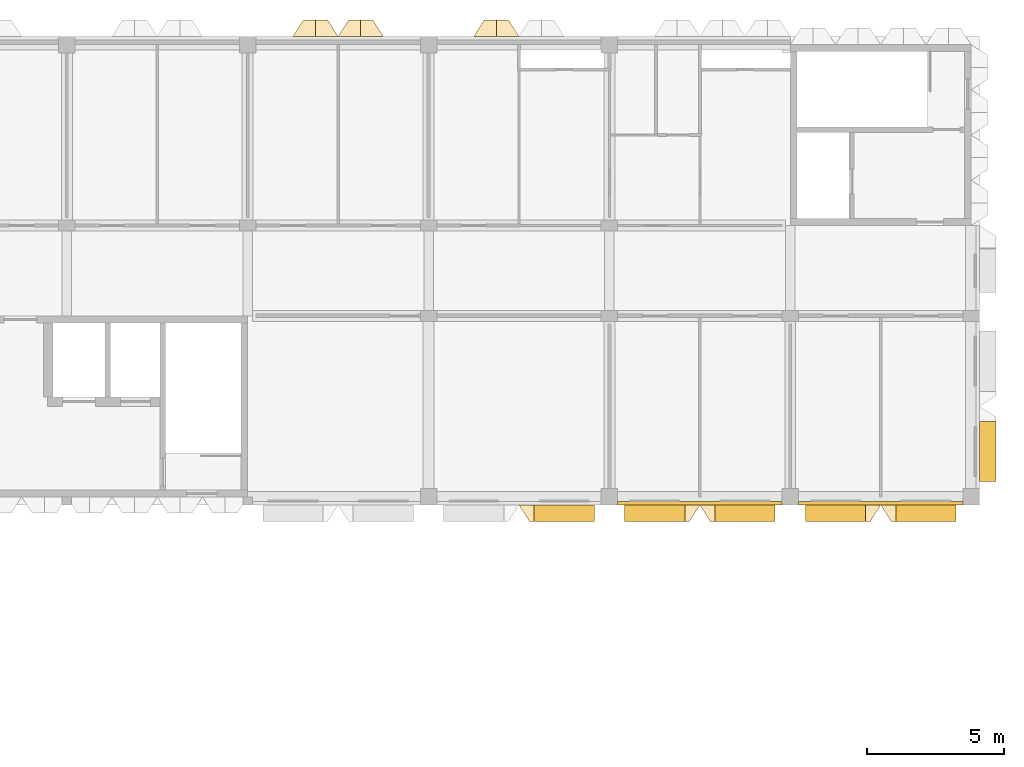
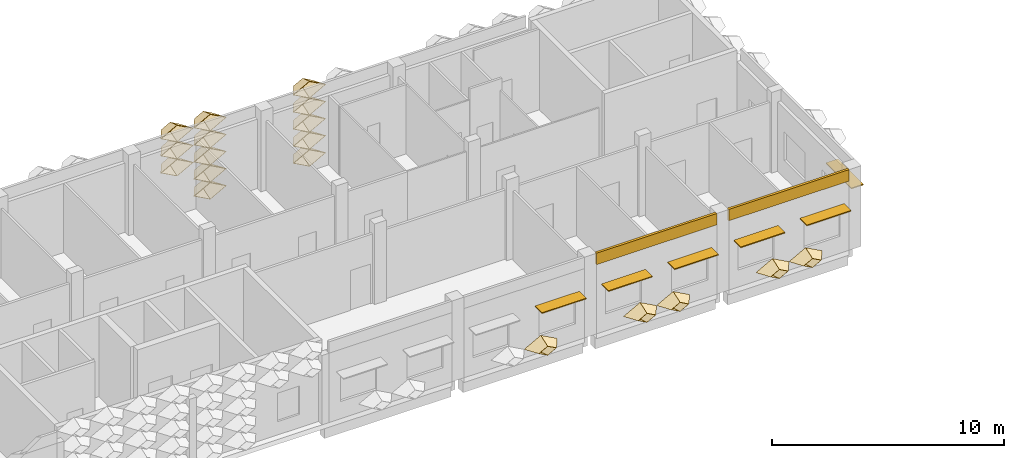
# One storey, part 80 of 85: 20 coverings, 6 shading devices.
"""IFC4 building model written with IfcOpenShell, lengths in metres."""

import ifcopenshell
import ifcopenshell.guid

model = None  # the IFC model being written
_history = None  # IfcOwnerHistory: only IFC2X3 demands one
_inside = {}  # id of a spatial element -> (the spatial element, [elements in it])
_under = {}  # id of a project, library or spatial element -> (it, [spatial elements below it])
_declared = {}  # id of a project -> (the project, [libraries it declares])
_typed = {}  # id of a type object -> (the type object, [elements of that type])
_made_of = {}  # id of a material, layer set ... -> (it, [elements and type objects made of it])


def new_model(schema):
    """Start an empty IFC model of exactly this schema.

    Asked for "IFC4X3", IfcOpenShell would pick the latest addendum, in which some entities
    have other attributes; the version numbers below select the first issue.
    IFC2X3 requires an IfcOwnerHistory on every rooted entity: one is made here for all.
    """
    global model, _history
    if schema == "IFC4X3":
        model = ifcopenshell.file(schema_version=(4, 3, 0, 0))
    else:
        model = ifcopenshell.file(schema=schema)
    _inside.clear()
    _under.clear()
    _declared.clear()
    _typed.clear()
    _made_of.clear()
    _history = None
    if model.schema == "IFC2X3":
        org = make("IfcOrganization", Name="unknown")
        user = make(
            "IfcPersonAndOrganization",
            ThePerson=make("IfcPerson", FamilyName="unknown"),
            TheOrganization=org,
        )
        app = make(
            "IfcApplication",
            ApplicationDeveloper=org,
            Version="unknown",
            ApplicationFullName="unknown",
            ApplicationIdentifier="unknown",
        )
        _history = make(
            "IfcOwnerHistory",
            OwningUser=user,
            OwningApplication=app,
            ChangeAction="ADDED",
            CreationDate=0,
        )
    return model


def make(cls, **values):
    """One entity of the class cls with the attributes given. An attribute that is None is left unset."""
    return model.create_entity(
        cls, **{name: value for name, value in values.items() if value is not None}
    )


def entity(cls, *values):
    """Any entity or typed value of the class cls, its attributes in the order of the schema. None: left unset."""
    e = model.create_entity(cls)
    for i, value in enumerate(values):
        if value is not None:
            e[i] = value
    return e


def rooted(cls, **values):
    """An entity with a GlobalId (a new one), such as an element, a storey or a relation."""
    return make(cls, GlobalId=ifcopenshell.guid.new(), OwnerHistory=_history, **values)


def si_unit(unit_type, name, prefix=None):
    """IfcSIUnit, for example si_unit("LENGTHUNIT", "METRE", prefix="MILLI")."""
    return make("IfcSIUnit", UnitType=unit_type, Prefix=prefix, Name=name)


def assignment(units):
    """IfcUnitAssignment: the units of a project."""
    return None if units is None else make("IfcUnitAssignment", Units=units)


def point(xyz):
    """IfcCartesianPoint."""
    return None if xyz is None else make("IfcCartesianPoint", Coordinates=xyz)


def direction(xyz):
    """IfcDirection."""
    return None if xyz is None else make("IfcDirection", DirectionRatios=xyz)


def frame(location, z_axis=None, x_axis=None):
    """IfcAxis2Placement3D, a coordinate frame: its origin and axes. An axis left out is left unset."""
    return make(
        "IfcAxis2Placement3D",
        Location=point(location),
        Axis=direction(z_axis),
        RefDirection=direction(x_axis),
    )


def frame_2d(location, x_axis=None):
    """IfcAxis2Placement2D, a coordinate frame in the plane: its origin and x axis."""
    return make(
        "IfcAxis2Placement2D", Location=point(location), RefDirection=direction(x_axis)
    )


def origin():
    """The frame at (0, 0, 0) with its axes left unset."""
    return frame((0.0, 0.0, 0.0))


def origin_2d():
    """The frame at (0, 0) in the plane with its x axis left unset."""
    return frame_2d((0.0, 0.0))


def place(relative_to, where):
    """IfcLocalPlacement: puts the frame where relative to a parent placement (None: the world)."""
    return make(
        "IfcLocalPlacement", PlacementRelTo=relative_to, RelativePlacement=where
    )


def context(
    kind, dimensions, precision=None, world=None, true_north=None, identifier=None
):
    """IfcGeometricRepresentationContext, for example the 3D "Model" context."""
    return make(
        "IfcGeometricRepresentationContext",
        ContextIdentifier=identifier,
        ContextType=kind,
        CoordinateSpaceDimension=dimensions,
        Precision=precision,
        WorldCoordinateSystem=world,
        TrueNorth=true_north,
    )


def subcontext(parent, identifier, kind, view, scale=None):
    """IfcGeometricRepresentationSubContext, for example "Body" below "Model"."""
    return make(
        "IfcGeometricRepresentationSubContext",
        ContextIdentifier=identifier,
        ContextType=kind,
        ParentContext=parent,
        TargetScale=scale,
        TargetView=view,
    )


def project(units=None, contexts=None):
    """IfcProject with its units and contexts."""
    return rooted(
        "IfcProject",
        Name="project",
        RepresentationContexts=contexts,
        UnitsInContext=assignment(units),
    )


def spatial(cls, under=None, at=None, **own):
    """A site, building, storey or space (cls), placed at a placement, below another one or the project."""
    s = rooted(cls, ObjectPlacement=at, **own)
    if under is not None:
        _under.setdefault(under.id(), (under, []))[1].append(s)
    return s


def profile(cls, at=None, kind="AREA", **sizes):
    """A parametric profile (cls). Its sizes go by their IFC names, for example OverallWidth=200.0."""
    return make(cls, ProfileType=kind, Position=at, **sizes)


def rectangle(**sizes):
    """IfcRectangleProfileDef."""
    return profile("IfcRectangleProfileDef", **sizes)


def extrude(swept, where, along, depth):
    """IfcExtrudedAreaSolid: the profile swept, set in the frame where, extruded along a direction by depth."""
    return make(
        "IfcExtrudedAreaSolid",
        SweptArea=swept,
        Position=where,
        ExtrudedDirection=direction(along),
        Depth=depth,
    )


def shape(context_of_items, identifier, shape_type, items):
    """IfcShapeRepresentation: the items that make up one representation, for example the "Body"."""
    return make(
        "IfcShapeRepresentation",
        ContextOfItems=context_of_items,
        RepresentationIdentifier=identifier,
        RepresentationType=shape_type,
        Items=items,
    )


def material(Name=None, Category=None):
    """IfcMaterial."""
    return make("IfcMaterial", Name=Name, Category=Category)


def layer(
    of_material, thickness, ventilated=None, Name=None, Category=None, Priority=None
):
    """IfcMaterialLayer: one layer of a wall or slab, of a material (None: an air gap)."""
    return make(
        "IfcMaterialLayer",
        Material=of_material,
        LayerThickness=thickness,
        IsVentilated=ventilated,
        Name=Name,
        Category=Category,
        Priority=Priority,
    )


def layer_set(layers, Name=None):
    """IfcMaterialLayerSet."""
    return make("IfcMaterialLayerSet", MaterialLayers=layers, LayerSetName=Name)


def made_of(thing, what):
    """Note that an element or type object is made of a material, layer set ...; save() writes the relation."""
    if what is not None:
        _made_of.setdefault(what.id(), (what, []))[1].append(thing)
    return thing


def type_object(cls, material=None, **own):
    """A type object (cls), such as IfcWallType, which elements share."""
    return made_of(rooted(cls, **own), material)


def element(
    cls,
    number,
    at=None,
    inside=None,
    cuts=None,
    type_object=None,
    material=None,
    context=None,
    identifier="Body",
    shape_type=None,
    held_by="IfcProductDefinitionShape",
    body=None,
    shapes=None,
    **own,
):
    """One element of the class cls, such as IfcWall. Its Tag is "e" and its number.

    at: its placement. inside: the storey or other place that contains it. cuts: it is an
    opening in that element (IfcRelVoidsElement). A single representation is given by context,
    identifier, shape_type and body (its items); several are given by shapes. held_by: the class
    of the entity that holds the representations. save() writes the other relations.
    """
    e = rooted(cls, Tag="e%d" % number, ObjectPlacement=at, **own)
    if body is not None:
        shapes = [shape(context, identifier, shape_type, body)]
    if shapes is not None:
        e.Representation = make(held_by, Representations=shapes)
    if inside is not None:
        _inside.setdefault(inside.id(), (inside, []))[1].append(e)
    if cuts is not None:
        rooted(
            "IfcRelVoidsElement", RelatingBuildingElement=cuts, RelatedOpeningElement=e
        )
    if type_object is not None:
        _typed.setdefault(type_object.id(), (type_object, []))[1].append(e)
    return made_of(e, material)


def aggregate(whole, parts):
    """IfcRelAggregates: a whole, such as a stair, and the parts it consists of."""
    return rooted("IfcRelAggregates", RelatingObject=whole, RelatedObjects=parts)


def save(model, path):
    """Write the relations noted so far, then the file.

    IfcRelAggregates (storeys below a building ...), IfcRelContainedInSpatialStructure (elements
    in a storey), IfcRelDefinesByType, IfcRelAssociatesMaterial and IfcRelDeclares: one each for
    every whole, place, type object, material and project.
    """
    for whole, parts in _under.values():
        aggregate(whole, parts)
    for where, things in _inside.values():
        rooted(
            "IfcRelContainedInSpatialStructure",
            RelatedElements=things,
            RelatingStructure=where,
        )
    for kind, things in _typed.values():
        rooted("IfcRelDefinesByType", RelatedObjects=things, RelatingType=kind)
    for what, things in _made_of.values():
        rooted("IfcRelAssociatesMaterial", RelatedObjects=things, RelatingMaterial=what)
    for by, libraries in _declared.values():
        rooted("IfcRelDeclares", RelatingContext=by, RelatedDefinitions=libraries)
    model.write(path)


model = new_model("IFC4")

# Units and contexts
model_context = context("Model", 3, precision=1e-05, world=origin(), true_north=direction((0.0, 1.0)))
body_context = subcontext(model_context, "Body", "Model", "MODEL_VIEW")
ifc_project = project(units=[si_unit("LENGTHUNIT", "METRE"), si_unit("AREAUNIT", "SQUARE_METRE"), si_unit("VOLUMEUNIT", "CUBIC_METRE"), si_unit("PLANEANGLEUNIT", "RADIAN"), si_unit("MASSUNIT", "GRAM", prefix="KILO")], contexts=[model_context])

# Site, building, storey
site_placement = place(None, origin())
site = spatial("IfcSite", under=ifc_project, at=site_placement, CompositionType="ELEMENT")
building_placement = place(site_placement, origin())
building = spatial("IfcBuilding", under=site, at=building_placement, Name="Lantern Court Research Institute", CompositionType="ELEMENT")
storey_placement = place(building_placement, frame((0.0, 0.0, 18.89990234375)))
storey = spatial("IfcBuildingStorey", under=building, at=storey_placement, Name="L04", CompositionType="ELEMENT", Elevation=18.89990234375)

# Shading devices
ifc_material_1 = material(Name="Aluminium alloy 6063-T6", Category="aluminium")
ifc_layer_1 = layer(ifc_material_1, 0.050048828125)
ifc_layer_set_1 = layer_set([ifc_layer_1], Name="Aluminium alloy 6063-T6")
shading_device_type = type_object("IfcShadingDeviceType", Name="Brise-soleil blade 2200 x 600 x 50 aluminium", PredefinedType="USERDEFINED", material=ifc_layer_set_1)
for number, where, z_axis, x_axis, name in (
    (1, (79.800048828125, 84.14990234375, 2.5), (0.0, 0.0, 1.0), (0.0, -1.0, 0.0), "Brise-soleil blade L04 E"),
    (2, (64.35009765625, 81.89990234375, 2.5), (0.0, 0.0, 1.0), (-1.0, 0.0, 0.0), "Brise-soleil blade L04 S"),
    (3, (67.64990234375, 81.89990234375, 2.5), (0.0, 0.0, 1.0), (-1.0, 0.0, 0.0), "Brise-soleil blade L04 S"),
    (4, (70.949951171875, 81.89990234375, 2.5), (0.0, 0.0, 1.0), (-1.0, 0.0, 0.0), "Brise-soleil blade L04 S"),
    (5, (74.25, 81.89990234375, 2.5), (0.0, 0.0, 1.0), (-1.0, 0.0, 0.0), "Brise-soleil blade L04 S"),
    (6, (77.550048828125, 81.89990234375, 2.5), (0.0, 0.0, 1.0), (-1.0, 0.0, 0.0), "Brise-soleil blade L04 S"),
):
    element("IfcShadingDevice", number, at=place(storey_placement, frame(where, z_axis=z_axis, x_axis=x_axis)), inside=storey, type_object=shading_device_type, Name=name, ObjectType="LOUVRE", PredefinedType="USERDEFINED", context=body_context, shape_type="SweptSolid", body=[
        extrude(rectangle(XDim=2.199951171875, YDim=0.60009765625, at=origin_2d()), origin(), (0.0, 0.0, 1.0), 0.050048828125),
    ])

# Coverings
ifc_material_2 = material(Name="Aluminium composite panel with mineral wool insulation", Category="aluminium")
ifc_layer_2 = layer(ifc_material_2, 0.125)
ifc_layer_set_2 = layer_set([ifc_layer_2], Name="Aluminium composite panel with mineral wool insulation")
covering_type_1 = type_object("IfcCoveringType", Name="Edge fascia panel 125 aluminium faced", PredefinedType="CLADDING", material=ifc_layer_set_2)
for number, where, z_axis, x_axis, name in (
    (7, (72.300048828125, 82.262451171875, 3.650146484375), (0.0, 0.0, 1.0), (-1.0, 0.0, 0.0), "Edge fascia V6S L04 09"),
    (8, (78.89990234375, 82.262451171875, 3.650146484375), (0.0, 0.0, 1.0), (-1.0, 0.0, 0.0), "Edge fascia V6S L04 10"),
):
    element("IfcCovering", number, at=place(storey_placement, frame(where, z_axis=z_axis, x_axis=x_axis)), inside=storey, type_object=covering_type_1, Name=name, PredefinedType="CLADDING", context=body_context, shape_type="SweptSolid", body=[
        extrude(rectangle(XDim=6.0, YDim=0.125, at=frame_2d((3.0, 0.0))), origin(), (0.0, 0.0, 1.0), 0.599853515625),
    ])
ifc_material_3 = material(Name="Anodised aluminium", Category="aluminium")
ifc_layer_3 = layer(ifc_material_3, 0.01611328125)
ifc_layer_set_3 = layer_set([ifc_layer_3], Name="Anodised aluminium")
covering_type_2 = type_object("IfcCoveringType", Name="Fin cassette 1650 x 900 x 600 aluminium", PredefinedType="CLADDING", material=ifc_layer_set_3)
covering_1_placement = place(storey_placement, frame((56.925048828125, 99.300048828125, 0.4501953125), z_axis=(0.0, 1.0, 0.0), x_axis=(-1.0, 0.0, 0.0)))
cartesian_point_1 = entity("IfcCartesianPoint", [0.824951171875, 0.0])
cartesian_point_2 = entity("IfcCartesianPoint", [0.79150390625, 0.0])
cartesian_point_3 = entity("IfcCartesianPoint", [0.44189453125, 0.0])
cartesian_point_4 = entity("IfcCartesianPoint", [0.43359375, 0.0])
element("IfcCovering", 9, at=covering_1_placement, inside=storey, type_object=covering_type_2, Name="Fin cassette V6N-L04 1.35", PredefinedType="CLADDING", context=body_context, shape_type="SweptSolid", body=[
    entity("IfcExtrudedAreaSolidTapered", entity("IfcArbitraryProfileDefWithVoids", "AREA", None, entity("IfcPolyline", [cartesian_point_1, entity("IfcCartesianPoint", [0.0, 0.449951171875]), entity("IfcCartesianPoint", [-0.824951171875, 0.0]), entity("IfcCartesianPoint", [0.0, -0.449951171875]), cartesian_point_1]), [entity("IfcPolyline", [cartesian_point_2, entity("IfcCartesianPoint", [0.0, 0.431884765625]), entity("IfcCartesianPoint", [-0.79150390625, 0.0]), entity("IfcCartesianPoint", [0.0, -0.431884765625]), cartesian_point_2])]), entity("IfcAxis2Placement3D", entity("IfcCartesianPoint", [0.0, 0.0, 0.0])), entity("IfcDirection", [0.0, 0.0, 1.0]), 0.60009765625, entity("IfcArbitraryProfileDefWithVoids", "AREA", None, entity("IfcPolyline", [cartesian_point_3, entity("IfcCartesianPoint", [0.0, 0.240966796875]), entity("IfcCartesianPoint", [-0.44189453125, 0.0]), entity("IfcCartesianPoint", [0.0, -0.240966796875]), cartesian_point_3]), [entity("IfcPolyline", [cartesian_point_4, entity("IfcCartesianPoint", [0.0, 0.236572265625]), entity("IfcCartesianPoint", [-0.43359375, 0.0]), entity("IfcCartesianPoint", [0.0, -0.236572265625]), cartesian_point_4])])),
])
covering_2_placement = place(storey_placement, frame((61.875, 99.300048828125, 0.4501953125), z_axis=(0.0, 1.0, 0.0), x_axis=(-1.0, 0.0, 0.0)))
cartesian_point_5 = entity("IfcCartesianPoint", [0.824951171875, 0.0])
cartesian_point_6 = entity("IfcCartesianPoint", [0.79150390625, 0.0])
cartesian_point_7 = entity("IfcCartesianPoint", [0.44189453125, 0.0])
cartesian_point_8 = entity("IfcCartesianPoint", [0.43359375, 0.0])
element("IfcCovering", 10, at=covering_2_placement, inside=storey, type_object=covering_type_2, Name="Fin cassette V6N-L04 1.38", PredefinedType="CLADDING", context=body_context, shape_type="SweptSolid", body=[
    entity("IfcExtrudedAreaSolidTapered", entity("IfcArbitraryProfileDefWithVoids", "AREA", None, entity("IfcPolyline", [cartesian_point_5, entity("IfcCartesianPoint", [0.0, 0.449951171875]), entity("IfcCartesianPoint", [-0.824951171875, 0.0]), entity("IfcCartesianPoint", [0.0, -0.449951171875]), cartesian_point_5]), [entity("IfcPolyline", [cartesian_point_6, entity("IfcCartesianPoint", [0.0, 0.431884765625]), entity("IfcCartesianPoint", [-0.79150390625, 0.0]), entity("IfcCartesianPoint", [0.0, -0.431884765625]), cartesian_point_6])]), entity("IfcAxis2Placement3D", entity("IfcCartesianPoint", [0.0, 0.0, 0.0])), entity("IfcDirection", [0.0, 0.0, 1.0]), 0.60009765625, entity("IfcArbitraryProfileDefWithVoids", "AREA", None, entity("IfcPolyline", [cartesian_point_7, entity("IfcCartesianPoint", [0.0, 0.240966796875]), entity("IfcCartesianPoint", [-0.44189453125, 0.0]), entity("IfcCartesianPoint", [0.0, -0.240966796875]), cartesian_point_7]), [entity("IfcPolyline", [cartesian_point_8, entity("IfcCartesianPoint", [0.0, 0.236572265625]), entity("IfcCartesianPoint", [-0.43359375, 0.0]), entity("IfcCartesianPoint", [0.0, -0.236572265625]), cartesian_point_8])])),
])
covering_3_placement = place(storey_placement, frame((56.925048828125, 99.300048828125, 1.35009765625), z_axis=(0.0, 1.0, 0.0), x_axis=(-1.0, 0.0, 0.0)))
cartesian_point_9 = entity("IfcCartesianPoint", [0.824951171875, 0.0])
cartesian_point_10 = entity("IfcCartesianPoint", [0.79150390625, 0.0])
cartesian_point_11 = entity("IfcCartesianPoint", [0.44189453125, 0.0])
cartesian_point_12 = entity("IfcCartesianPoint", [0.43359375, 0.0])
element("IfcCovering", 11, at=covering_3_placement, inside=storey, type_object=covering_type_2, Name="Fin cassette V6N-L04 2.35", PredefinedType="CLADDING", context=body_context, shape_type="SweptSolid", body=[
    entity("IfcExtrudedAreaSolidTapered", entity("IfcArbitraryProfileDefWithVoids", "AREA", None, entity("IfcPolyline", [cartesian_point_9, entity("IfcCartesianPoint", [0.0, 0.449951171875]), entity("IfcCartesianPoint", [-0.824951171875, 0.0]), entity("IfcCartesianPoint", [0.0, -0.449951171875]), cartesian_point_9]), [entity("IfcPolyline", [cartesian_point_10, entity("IfcCartesianPoint", [0.0, 0.431884765625]), entity("IfcCartesianPoint", [-0.79150390625, 0.0]), entity("IfcCartesianPoint", [0.0, -0.431884765625]), cartesian_point_10])]), entity("IfcAxis2Placement3D", entity("IfcCartesianPoint", [0.0, 0.0, 0.0])), entity("IfcDirection", [0.0, 0.0, 1.0]), 0.60009765625, entity("IfcArbitraryProfileDefWithVoids", "AREA", None, entity("IfcPolyline", [cartesian_point_11, entity("IfcCartesianPoint", [0.0, 0.240966796875]), entity("IfcCartesianPoint", [-0.44189453125, 0.0]), entity("IfcCartesianPoint", [0.0, -0.240966796875]), cartesian_point_11]), [entity("IfcPolyline", [cartesian_point_12, entity("IfcCartesianPoint", [0.0, 0.236572265625]), entity("IfcCartesianPoint", [-0.43359375, 0.0]), entity("IfcCartesianPoint", [0.0, -0.236572265625]), cartesian_point_12])])),
])
covering_4_placement = place(storey_placement, frame((61.875, 99.300048828125, 1.35009765625), z_axis=(0.0, 1.0, 0.0), x_axis=(-1.0, 0.0, 0.0)))
cartesian_point_13 = entity("IfcCartesianPoint", [0.824951171875, 0.0])
cartesian_point_14 = entity("IfcCartesianPoint", [0.79150390625, 0.0])
cartesian_point_15 = entity("IfcCartesianPoint", [0.44189453125, 0.0])
cartesian_point_16 = entity("IfcCartesianPoint", [0.43359375, 0.0])
element("IfcCovering", 12, at=covering_4_placement, inside=storey, type_object=covering_type_2, Name="Fin cassette V6N-L04 2.38", PredefinedType="CLADDING", context=body_context, shape_type="SweptSolid", body=[
    entity("IfcExtrudedAreaSolidTapered", entity("IfcArbitraryProfileDefWithVoids", "AREA", None, entity("IfcPolyline", [cartesian_point_13, entity("IfcCartesianPoint", [0.0, 0.449951171875]), entity("IfcCartesianPoint", [-0.824951171875, 0.0]), entity("IfcCartesianPoint", [0.0, -0.449951171875]), cartesian_point_13]), [entity("IfcPolyline", [cartesian_point_14, entity("IfcCartesianPoint", [0.0, 0.431884765625]), entity("IfcCartesianPoint", [-0.79150390625, 0.0]), entity("IfcCartesianPoint", [0.0, -0.431884765625]), cartesian_point_14])]), entity("IfcAxis2Placement3D", entity("IfcCartesianPoint", [0.0, 0.0, 0.0])), entity("IfcDirection", [0.0, 0.0, 1.0]), 0.60009765625, entity("IfcArbitraryProfileDefWithVoids", "AREA", None, entity("IfcPolyline", [cartesian_point_15, entity("IfcCartesianPoint", [0.0, 0.240966796875]), entity("IfcCartesianPoint", [-0.44189453125, 0.0]), entity("IfcCartesianPoint", [0.0, -0.240966796875]), cartesian_point_15]), [entity("IfcPolyline", [cartesian_point_16, entity("IfcCartesianPoint", [0.0, 0.236572265625]), entity("IfcCartesianPoint", [-0.43359375, 0.0]), entity("IfcCartesianPoint", [0.0, -0.236572265625]), cartesian_point_16])])),
])
covering_5_placement = place(storey_placement, frame((55.27490234375, 99.300048828125, 2.25), z_axis=(0.0, 1.0, 0.0), x_axis=(-1.0, 0.0, 0.0)))
cartesian_point_17 = entity("IfcCartesianPoint", [0.824951171875, 0.0])
cartesian_point_18 = entity("IfcCartesianPoint", [0.79150390625, 0.0])
cartesian_point_19 = entity("IfcCartesianPoint", [0.44189453125, 0.0])
cartesian_point_20 = entity("IfcCartesianPoint", [0.43359375, 0.0])
element("IfcCovering", 13, at=covering_5_placement, inside=storey, type_object=covering_type_2, Name="Fin cassette V6N-L04 3.34", PredefinedType="CLADDING", context=body_context, shape_type="SweptSolid", body=[
    entity("IfcExtrudedAreaSolidTapered", entity("IfcArbitraryProfileDefWithVoids", "AREA", None, entity("IfcPolyline", [cartesian_point_17, entity("IfcCartesianPoint", [0.0, 0.449951171875]), entity("IfcCartesianPoint", [-0.824951171875, 0.0]), entity("IfcCartesianPoint", [0.0, -0.449951171875]), cartesian_point_17]), [entity("IfcPolyline", [cartesian_point_18, entity("IfcCartesianPoint", [0.0, 0.431884765625]), entity("IfcCartesianPoint", [-0.79150390625, 0.0]), entity("IfcCartesianPoint", [0.0, -0.431884765625]), cartesian_point_18])]), entity("IfcAxis2Placement3D", entity("IfcCartesianPoint", [0.0, 0.0, 0.0])), entity("IfcDirection", [0.0, 0.0, 1.0]), 0.60009765625, entity("IfcArbitraryProfileDefWithVoids", "AREA", None, entity("IfcPolyline", [cartesian_point_19, entity("IfcCartesianPoint", [0.0, 0.240966796875]), entity("IfcCartesianPoint", [-0.44189453125, 0.0]), entity("IfcCartesianPoint", [0.0, -0.240966796875]), cartesian_point_19]), [entity("IfcPolyline", [cartesian_point_20, entity("IfcCartesianPoint", [0.0, 0.236572265625]), entity("IfcCartesianPoint", [-0.43359375, 0.0]), entity("IfcCartesianPoint", [0.0, -0.236572265625]), cartesian_point_20])])),
])
covering_6_placement = place(storey_placement, frame((56.925048828125, 99.300048828125, 2.25), z_axis=(0.0, 1.0, 0.0), x_axis=(-1.0, 0.0, 0.0)))
cartesian_point_21 = entity("IfcCartesianPoint", [0.824951171875, 0.0])
cartesian_point_22 = entity("IfcCartesianPoint", [0.79150390625, 0.0])
cartesian_point_23 = entity("IfcCartesianPoint", [0.44189453125, 0.0])
cartesian_point_24 = entity("IfcCartesianPoint", [0.43359375, 0.0])
element("IfcCovering", 14, at=covering_6_placement, inside=storey, type_object=covering_type_2, Name="Fin cassette V6N-L04 3.35", PredefinedType="CLADDING", context=body_context, shape_type="SweptSolid", body=[
    entity("IfcExtrudedAreaSolidTapered", entity("IfcArbitraryProfileDefWithVoids", "AREA", None, entity("IfcPolyline", [cartesian_point_21, entity("IfcCartesianPoint", [0.0, 0.449951171875]), entity("IfcCartesianPoint", [-0.824951171875, 0.0]), entity("IfcCartesianPoint", [0.0, -0.449951171875]), cartesian_point_21]), [entity("IfcPolyline", [cartesian_point_22, entity("IfcCartesianPoint", [0.0, 0.431884765625]), entity("IfcCartesianPoint", [-0.79150390625, 0.0]), entity("IfcCartesianPoint", [0.0, -0.431884765625]), cartesian_point_22])]), entity("IfcAxis2Placement3D", entity("IfcCartesianPoint", [0.0, 0.0, 0.0])), entity("IfcDirection", [0.0, 0.0, 1.0]), 0.60009765625, entity("IfcArbitraryProfileDefWithVoids", "AREA", None, entity("IfcPolyline", [cartesian_point_23, entity("IfcCartesianPoint", [0.0, 0.240966796875]), entity("IfcCartesianPoint", [-0.44189453125, 0.0]), entity("IfcCartesianPoint", [0.0, -0.240966796875]), cartesian_point_23]), [entity("IfcPolyline", [cartesian_point_24, entity("IfcCartesianPoint", [0.0, 0.236572265625]), entity("IfcCartesianPoint", [-0.43359375, 0.0]), entity("IfcCartesianPoint", [0.0, -0.236572265625]), cartesian_point_24])])),
])
covering_7_placement = place(storey_placement, frame((61.875, 99.300048828125, 2.25), z_axis=(0.0, 1.0, 0.0), x_axis=(-1.0, 0.0, 0.0)))
cartesian_point_25 = entity("IfcCartesianPoint", [0.824951171875, 0.0])
cartesian_point_26 = entity("IfcCartesianPoint", [0.79150390625, 0.0])
cartesian_point_27 = entity("IfcCartesianPoint", [0.44189453125, 0.0])
cartesian_point_28 = entity("IfcCartesianPoint", [0.43359375, 0.0])
element("IfcCovering", 15, at=covering_7_placement, inside=storey, type_object=covering_type_2, Name="Fin cassette V6N-L04 3.38", PredefinedType="CLADDING", context=body_context, shape_type="SweptSolid", body=[
    entity("IfcExtrudedAreaSolidTapered", entity("IfcArbitraryProfileDefWithVoids", "AREA", None, entity("IfcPolyline", [cartesian_point_25, entity("IfcCartesianPoint", [0.0, 0.449951171875]), entity("IfcCartesianPoint", [-0.824951171875, 0.0]), entity("IfcCartesianPoint", [0.0, -0.449951171875]), cartesian_point_25]), [entity("IfcPolyline", [cartesian_point_26, entity("IfcCartesianPoint", [0.0, 0.431884765625]), entity("IfcCartesianPoint", [-0.79150390625, 0.0]), entity("IfcCartesianPoint", [0.0, -0.431884765625]), cartesian_point_26])]), entity("IfcAxis2Placement3D", entity("IfcCartesianPoint", [0.0, 0.0, 0.0])), entity("IfcDirection", [0.0, 0.0, 1.0]), 0.60009765625, entity("IfcArbitraryProfileDefWithVoids", "AREA", None, entity("IfcPolyline", [cartesian_point_27, entity("IfcCartesianPoint", [0.0, 0.240966796875]), entity("IfcCartesianPoint", [-0.44189453125, 0.0]), entity("IfcCartesianPoint", [0.0, -0.240966796875]), cartesian_point_27]), [entity("IfcPolyline", [cartesian_point_28, entity("IfcCartesianPoint", [0.0, 0.236572265625]), entity("IfcCartesianPoint", [-0.43359375, 0.0]), entity("IfcCartesianPoint", [0.0, -0.236572265625]), cartesian_point_28])])),
])
covering_8_placement = place(storey_placement, frame((55.27490234375, 99.300048828125, 3.150146484375), z_axis=(0.0, 1.0, 0.0), x_axis=(-1.0, 0.0, 0.0)))
cartesian_point_29 = entity("IfcCartesianPoint", [0.824951171875, 0.0])
cartesian_point_30 = entity("IfcCartesianPoint", [0.79150390625, 0.0])
cartesian_point_31 = entity("IfcCartesianPoint", [0.44189453125, 0.0])
cartesian_point_32 = entity("IfcCartesianPoint", [0.43359375, 0.0])
element("IfcCovering", 16, at=covering_8_placement, inside=storey, type_object=covering_type_2, Name="Fin cassette V6N-L04 4.34", PredefinedType="CLADDING", context=body_context, shape_type="SweptSolid", body=[
    entity("IfcExtrudedAreaSolidTapered", entity("IfcArbitraryProfileDefWithVoids", "AREA", None, entity("IfcPolyline", [cartesian_point_29, entity("IfcCartesianPoint", [0.0, 0.449951171875]), entity("IfcCartesianPoint", [-0.824951171875, 0.0]), entity("IfcCartesianPoint", [0.0, -0.449951171875]), cartesian_point_29]), [entity("IfcPolyline", [cartesian_point_30, entity("IfcCartesianPoint", [0.0, 0.431884765625]), entity("IfcCartesianPoint", [-0.79150390625, 0.0]), entity("IfcCartesianPoint", [0.0, -0.431884765625]), cartesian_point_30])]), entity("IfcAxis2Placement3D", entity("IfcCartesianPoint", [0.0, 0.0, 0.0])), entity("IfcDirection", [0.0, 0.0, 1.0]), 0.60009765625, entity("IfcArbitraryProfileDefWithVoids", "AREA", None, entity("IfcPolyline", [cartesian_point_31, entity("IfcCartesianPoint", [0.0, 0.240966796875]), entity("IfcCartesianPoint", [-0.44189453125, 0.0]), entity("IfcCartesianPoint", [0.0, -0.240966796875]), cartesian_point_31]), [entity("IfcPolyline", [cartesian_point_32, entity("IfcCartesianPoint", [0.0, 0.236572265625]), entity("IfcCartesianPoint", [-0.43359375, 0.0]), entity("IfcCartesianPoint", [0.0, -0.236572265625]), cartesian_point_32])])),
])
covering_9_placement = place(storey_placement, frame((56.925048828125, 99.300048828125, 3.150146484375), z_axis=(0.0, 1.0, 0.0), x_axis=(-1.0, 0.0, 0.0)))
cartesian_point_33 = entity("IfcCartesianPoint", [0.824951171875, 0.0])
cartesian_point_34 = entity("IfcCartesianPoint", [0.79150390625, 0.0])
cartesian_point_35 = entity("IfcCartesianPoint", [0.44189453125, 0.0])
cartesian_point_36 = entity("IfcCartesianPoint", [0.43359375, 0.0])
element("IfcCovering", 17, at=covering_9_placement, inside=storey, type_object=covering_type_2, Name="Fin cassette V6N-L04 4.35", PredefinedType="CLADDING", context=body_context, shape_type="SweptSolid", body=[
    entity("IfcExtrudedAreaSolidTapered", entity("IfcArbitraryProfileDefWithVoids", "AREA", None, entity("IfcPolyline", [cartesian_point_33, entity("IfcCartesianPoint", [0.0, 0.449951171875]), entity("IfcCartesianPoint", [-0.824951171875, 0.0]), entity("IfcCartesianPoint", [0.0, -0.449951171875]), cartesian_point_33]), [entity("IfcPolyline", [cartesian_point_34, entity("IfcCartesianPoint", [0.0, 0.431884765625]), entity("IfcCartesianPoint", [-0.79150390625, 0.0]), entity("IfcCartesianPoint", [0.0, -0.431884765625]), cartesian_point_34])]), entity("IfcAxis2Placement3D", entity("IfcCartesianPoint", [0.0, 0.0, 0.0])), entity("IfcDirection", [0.0, 0.0, 1.0]), 0.60009765625, entity("IfcArbitraryProfileDefWithVoids", "AREA", None, entity("IfcPolyline", [cartesian_point_35, entity("IfcCartesianPoint", [0.0, 0.240966796875]), entity("IfcCartesianPoint", [-0.44189453125, 0.0]), entity("IfcCartesianPoint", [0.0, -0.240966796875]), cartesian_point_35]), [entity("IfcPolyline", [cartesian_point_36, entity("IfcCartesianPoint", [0.0, 0.236572265625]), entity("IfcCartesianPoint", [-0.43359375, 0.0]), entity("IfcCartesianPoint", [0.0, -0.236572265625]), cartesian_point_36])])),
])
covering_10_placement = place(storey_placement, frame((61.875, 99.300048828125, 3.150146484375), z_axis=(0.0, 1.0, 0.0), x_axis=(-1.0, 0.0, 0.0)))
cartesian_point_37 = entity("IfcCartesianPoint", [0.824951171875, 0.0])
cartesian_point_38 = entity("IfcCartesianPoint", [0.79150390625, 0.0])
cartesian_point_39 = entity("IfcCartesianPoint", [0.44189453125, 0.0])
cartesian_point_40 = entity("IfcCartesianPoint", [0.43359375, 0.0])
element("IfcCovering", 18, at=covering_10_placement, inside=storey, type_object=covering_type_2, Name="Fin cassette V6N-L04 4.38", PredefinedType="CLADDING", context=body_context, shape_type="SweptSolid", body=[
    entity("IfcExtrudedAreaSolidTapered", entity("IfcArbitraryProfileDefWithVoids", "AREA", None, entity("IfcPolyline", [cartesian_point_37, entity("IfcCartesianPoint", [0.0, 0.449951171875]), entity("IfcCartesianPoint", [-0.824951171875, 0.0]), entity("IfcCartesianPoint", [0.0, -0.449951171875]), cartesian_point_37]), [entity("IfcPolyline", [cartesian_point_38, entity("IfcCartesianPoint", [0.0, 0.431884765625]), entity("IfcCartesianPoint", [-0.79150390625, 0.0]), entity("IfcCartesianPoint", [0.0, -0.431884765625]), cartesian_point_38])]), entity("IfcAxis2Placement3D", entity("IfcCartesianPoint", [0.0, 0.0, 0.0])), entity("IfcDirection", [0.0, 0.0, 1.0]), 0.60009765625, entity("IfcArbitraryProfileDefWithVoids", "AREA", None, entity("IfcPolyline", [cartesian_point_39, entity("IfcCartesianPoint", [0.0, 0.240966796875]), entity("IfcCartesianPoint", [-0.44189453125, 0.0]), entity("IfcCartesianPoint", [0.0, -0.240966796875]), cartesian_point_39]), [entity("IfcPolyline", [cartesian_point_40, entity("IfcCartesianPoint", [0.0, 0.236572265625]), entity("IfcCartesianPoint", [-0.43359375, 0.0]), entity("IfcCartesianPoint", [0.0, -0.236572265625]), cartesian_point_40])])),
])
covering_11_placement = place(storey_placement, frame((55.27490234375, 99.300048828125, 4.050048828125), z_axis=(0.0, 1.0, 0.0), x_axis=(-1.0, 0.0, 0.0)))
cartesian_point_41 = entity("IfcCartesianPoint", [0.824951171875, 0.0])
cartesian_point_42 = entity("IfcCartesianPoint", [0.79150390625, 0.0])
cartesian_point_43 = entity("IfcCartesianPoint", [0.44189453125, 0.0])
cartesian_point_44 = entity("IfcCartesianPoint", [0.43359375, 0.0])
element("IfcCovering", 19, at=covering_11_placement, inside=storey, type_object=covering_type_2, Name="Fin cassette V6N-L04 5.34", PredefinedType="CLADDING", context=body_context, shape_type="SweptSolid", body=[
    entity("IfcExtrudedAreaSolidTapered", entity("IfcArbitraryProfileDefWithVoids", "AREA", None, entity("IfcPolyline", [cartesian_point_41, entity("IfcCartesianPoint", [0.0, 0.449951171875]), entity("IfcCartesianPoint", [-0.824951171875, 0.0]), entity("IfcCartesianPoint", [0.0, -0.449951171875]), cartesian_point_41]), [entity("IfcPolyline", [cartesian_point_42, entity("IfcCartesianPoint", [0.0, 0.431884765625]), entity("IfcCartesianPoint", [-0.79150390625, 0.0]), entity("IfcCartesianPoint", [0.0, -0.431884765625]), cartesian_point_42])]), entity("IfcAxis2Placement3D", entity("IfcCartesianPoint", [0.0, 0.0, 0.0])), entity("IfcDirection", [0.0, 0.0, 1.0]), 0.60009765625, entity("IfcArbitraryProfileDefWithVoids", "AREA", None, entity("IfcPolyline", [cartesian_point_43, entity("IfcCartesianPoint", [0.0, 0.240966796875]), entity("IfcCartesianPoint", [-0.44189453125, 0.0]), entity("IfcCartesianPoint", [0.0, -0.240966796875]), cartesian_point_43]), [entity("IfcPolyline", [cartesian_point_44, entity("IfcCartesianPoint", [0.0, 0.236572265625]), entity("IfcCartesianPoint", [-0.43359375, 0.0]), entity("IfcCartesianPoint", [0.0, -0.236572265625]), cartesian_point_44])])),
])
covering_12_placement = place(storey_placement, frame((56.925048828125, 99.300048828125, 4.050048828125), z_axis=(0.0, 1.0, 0.0), x_axis=(-1.0, 0.0, 0.0)))
cartesian_point_45 = entity("IfcCartesianPoint", [0.824951171875, 0.0])
cartesian_point_46 = entity("IfcCartesianPoint", [0.79150390625, 0.0])
cartesian_point_47 = entity("IfcCartesianPoint", [0.44189453125, 0.0])
cartesian_point_48 = entity("IfcCartesianPoint", [0.43359375, 0.0])
element("IfcCovering", 20, at=covering_12_placement, inside=storey, type_object=covering_type_2, Name="Fin cassette V6N-L04 5.35", PredefinedType="CLADDING", context=body_context, shape_type="SweptSolid", body=[
    entity("IfcExtrudedAreaSolidTapered", entity("IfcArbitraryProfileDefWithVoids", "AREA", None, entity("IfcPolyline", [cartesian_point_45, entity("IfcCartesianPoint", [0.0, 0.449951171875]), entity("IfcCartesianPoint", [-0.824951171875, 0.0]), entity("IfcCartesianPoint", [0.0, -0.449951171875]), cartesian_point_45]), [entity("IfcPolyline", [cartesian_point_46, entity("IfcCartesianPoint", [0.0, 0.431884765625]), entity("IfcCartesianPoint", [-0.79150390625, 0.0]), entity("IfcCartesianPoint", [0.0, -0.431884765625]), cartesian_point_46])]), entity("IfcAxis2Placement3D", entity("IfcCartesianPoint", [0.0, 0.0, 0.0])), entity("IfcDirection", [0.0, 0.0, 1.0]), 0.60009765625, entity("IfcArbitraryProfileDefWithVoids", "AREA", None, entity("IfcPolyline", [cartesian_point_47, entity("IfcCartesianPoint", [0.0, 0.240966796875]), entity("IfcCartesianPoint", [-0.44189453125, 0.0]), entity("IfcCartesianPoint", [0.0, -0.240966796875]), cartesian_point_47]), [entity("IfcPolyline", [cartesian_point_48, entity("IfcCartesianPoint", [0.0, 0.236572265625]), entity("IfcCartesianPoint", [-0.43359375, 0.0]), entity("IfcCartesianPoint", [0.0, -0.236572265625]), cartesian_point_48])])),
])
covering_13_placement = place(storey_placement, frame((61.875, 99.300048828125, 4.050048828125), z_axis=(0.0, 1.0, 0.0), x_axis=(-1.0, 0.0, 0.0)))
cartesian_point_49 = entity("IfcCartesianPoint", [0.824951171875, 0.0])
cartesian_point_50 = entity("IfcCartesianPoint", [0.79150390625, 0.0])
cartesian_point_51 = entity("IfcCartesianPoint", [0.44189453125, 0.0])
cartesian_point_52 = entity("IfcCartesianPoint", [0.43359375, 0.0])
element("IfcCovering", 21, at=covering_13_placement, inside=storey, type_object=covering_type_2, Name="Fin cassette V6N-L04 5.38", PredefinedType="CLADDING", context=body_context, shape_type="SweptSolid", body=[
    entity("IfcExtrudedAreaSolidTapered", entity("IfcArbitraryProfileDefWithVoids", "AREA", None, entity("IfcPolyline", [cartesian_point_49, entity("IfcCartesianPoint", [0.0, 0.449951171875]), entity("IfcCartesianPoint", [-0.824951171875, 0.0]), entity("IfcCartesianPoint", [0.0, -0.449951171875]), cartesian_point_49]), [entity("IfcPolyline", [cartesian_point_50, entity("IfcCartesianPoint", [0.0, 0.431884765625]), entity("IfcCartesianPoint", [-0.79150390625, 0.0]), entity("IfcCartesianPoint", [0.0, -0.431884765625]), cartesian_point_50])]), entity("IfcAxis2Placement3D", entity("IfcCartesianPoint", [0.0, 0.0, 0.0])), entity("IfcDirection", [0.0, 0.0, 1.0]), 0.60009765625, entity("IfcArbitraryProfileDefWithVoids", "AREA", None, entity("IfcPolyline", [cartesian_point_51, entity("IfcCartesianPoint", [0.0, 0.240966796875]), entity("IfcCartesianPoint", [-0.44189453125, 0.0]), entity("IfcCartesianPoint", [0.0, -0.240966796875]), cartesian_point_51]), [entity("IfcPolyline", [cartesian_point_52, entity("IfcCartesianPoint", [0.0, 0.236572265625]), entity("IfcCartesianPoint", [-0.43359375, 0.0]), entity("IfcCartesianPoint", [0.0, -0.236572265625]), cartesian_point_52])])),
])
covering_14_placement = place(storey_placement, frame((63.52490234375, 82.199951171875, 0.4501953125), z_axis=(0.0, -1.0, 0.0), x_axis=(1.0, 0.0, 0.0)))
cartesian_point_53 = entity("IfcCartesianPoint", [0.824951171875, 0.0])
cartesian_point_54 = entity("IfcCartesianPoint", [0.79150390625, 0.0])
cartesian_point_55 = entity("IfcCartesianPoint", [0.44189453125, 0.0])
cartesian_point_56 = entity("IfcCartesianPoint", [0.43359375, 0.0])
element("IfcCovering", 22, at=covering_14_placement, inside=storey, type_object=covering_type_2, Name="Fin cassette V6S-L04 1.39", PredefinedType="CLADDING", context=body_context, shape_type="SweptSolid", body=[
    entity("IfcExtrudedAreaSolidTapered", entity("IfcArbitraryProfileDefWithVoids", "AREA", None, entity("IfcPolyline", [cartesian_point_53, entity("IfcCartesianPoint", [0.0, 0.449951171875]), entity("IfcCartesianPoint", [-0.824951171875, 0.0]), entity("IfcCartesianPoint", [0.0, -0.449951171875]), cartesian_point_53]), [entity("IfcPolyline", [cartesian_point_54, entity("IfcCartesianPoint", [0.0, 0.431884765625]), entity("IfcCartesianPoint", [-0.79150390625, 0.0]), entity("IfcCartesianPoint", [0.0, -0.431884765625]), cartesian_point_54])]), entity("IfcAxis2Placement3D", entity("IfcCartesianPoint", [0.0, 0.0, 0.0])), entity("IfcDirection", [0.0, 0.0, 1.0]), 0.60009765625, entity("IfcArbitraryProfileDefWithVoids", "AREA", None, entity("IfcPolyline", [cartesian_point_55, entity("IfcCartesianPoint", [0.0, 0.240966796875]), entity("IfcCartesianPoint", [-0.44189453125, 0.0]), entity("IfcCartesianPoint", [0.0, -0.240966796875]), cartesian_point_55]), [entity("IfcPolyline", [cartesian_point_56, entity("IfcCartesianPoint", [0.0, 0.236572265625]), entity("IfcCartesianPoint", [-0.43359375, 0.0]), entity("IfcCartesianPoint", [0.0, -0.236572265625]), cartesian_point_56])])),
])
covering_15_placement = place(storey_placement, frame((68.47509765625, 82.199951171875, 0.4501953125), z_axis=(0.0, -1.0, 0.0), x_axis=(1.0, 0.0, 0.0)))
cartesian_point_57 = entity("IfcCartesianPoint", [0.824951171875, 0.0])
cartesian_point_58 = entity("IfcCartesianPoint", [0.79150390625, 0.0])
cartesian_point_59 = entity("IfcCartesianPoint", [0.44189453125, 0.0])
cartesian_point_60 = entity("IfcCartesianPoint", [0.43359375, 0.0])
element("IfcCovering", 23, at=covering_15_placement, inside=storey, type_object=covering_type_2, Name="Fin cassette V6S-L04 1.42", PredefinedType="CLADDING", context=body_context, shape_type="SweptSolid", body=[
    entity("IfcExtrudedAreaSolidTapered", entity("IfcArbitraryProfileDefWithVoids", "AREA", None, entity("IfcPolyline", [cartesian_point_57, entity("IfcCartesianPoint", [0.0, 0.449951171875]), entity("IfcCartesianPoint", [-0.824951171875, 0.0]), entity("IfcCartesianPoint", [0.0, -0.449951171875]), cartesian_point_57]), [entity("IfcPolyline", [cartesian_point_58, entity("IfcCartesianPoint", [0.0, 0.431884765625]), entity("IfcCartesianPoint", [-0.79150390625, 0.0]), entity("IfcCartesianPoint", [0.0, -0.431884765625]), cartesian_point_58])]), entity("IfcAxis2Placement3D", entity("IfcCartesianPoint", [0.0, 0.0, 0.0])), entity("IfcDirection", [0.0, 0.0, 1.0]), 0.60009765625, entity("IfcArbitraryProfileDefWithVoids", "AREA", None, entity("IfcPolyline", [cartesian_point_59, entity("IfcCartesianPoint", [0.0, 0.240966796875]), entity("IfcCartesianPoint", [-0.44189453125, 0.0]), entity("IfcCartesianPoint", [0.0, -0.240966796875]), cartesian_point_59]), [entity("IfcPolyline", [cartesian_point_60, entity("IfcCartesianPoint", [0.0, 0.236572265625]), entity("IfcCartesianPoint", [-0.43359375, 0.0]), entity("IfcCartesianPoint", [0.0, -0.236572265625]), cartesian_point_60])])),
])
covering_16_placement = place(storey_placement, frame((70.125, 82.199951171875, 0.4501953125), z_axis=(0.0, -1.0, 0.0), x_axis=(1.0, 0.0, 0.0)))
cartesian_point_61 = entity("IfcCartesianPoint", [0.824951171875, 0.0])
cartesian_point_62 = entity("IfcCartesianPoint", [0.79150390625, 0.0])
cartesian_point_63 = entity("IfcCartesianPoint", [0.44189453125, 0.0])
cartesian_point_64 = entity("IfcCartesianPoint", [0.43359375, 0.0])
element("IfcCovering", 24, at=covering_16_placement, inside=storey, type_object=covering_type_2, Name="Fin cassette V6S-L04 1.43", PredefinedType="CLADDING", context=body_context, shape_type="SweptSolid", body=[
    entity("IfcExtrudedAreaSolidTapered", entity("IfcArbitraryProfileDefWithVoids", "AREA", None, entity("IfcPolyline", [cartesian_point_61, entity("IfcCartesianPoint", [0.0, 0.449951171875]), entity("IfcCartesianPoint", [-0.824951171875, 0.0]), entity("IfcCartesianPoint", [0.0, -0.449951171875]), cartesian_point_61]), [entity("IfcPolyline", [cartesian_point_62, entity("IfcCartesianPoint", [0.0, 0.431884765625]), entity("IfcCartesianPoint", [-0.79150390625, 0.0]), entity("IfcCartesianPoint", [0.0, -0.431884765625]), cartesian_point_62])]), entity("IfcAxis2Placement3D", entity("IfcCartesianPoint", [0.0, 0.0, 0.0])), entity("IfcDirection", [0.0, 0.0, 1.0]), 0.60009765625, entity("IfcArbitraryProfileDefWithVoids", "AREA", None, entity("IfcPolyline", [cartesian_point_63, entity("IfcCartesianPoint", [0.0, 0.240966796875]), entity("IfcCartesianPoint", [-0.44189453125, 0.0]), entity("IfcCartesianPoint", [0.0, -0.240966796875]), cartesian_point_63]), [entity("IfcPolyline", [cartesian_point_64, entity("IfcCartesianPoint", [0.0, 0.236572265625]), entity("IfcCartesianPoint", [-0.43359375, 0.0]), entity("IfcCartesianPoint", [0.0, -0.236572265625]), cartesian_point_64])])),
])
covering_17_placement = place(storey_placement, frame((75.074951171875, 82.199951171875, 0.4501953125), z_axis=(0.0, -1.0, 0.0), x_axis=(1.0, 0.0, 0.0)))
cartesian_point_65 = entity("IfcCartesianPoint", [0.824951171875, 0.0])
cartesian_point_66 = entity("IfcCartesianPoint", [0.79150390625, 0.0])
cartesian_point_67 = entity("IfcCartesianPoint", [0.44189453125, 0.0])
cartesian_point_68 = entity("IfcCartesianPoint", [0.43359375, 0.0])
element("IfcCovering", 25, at=covering_17_placement, inside=storey, type_object=covering_type_2, Name="Fin cassette V6S-L04 1.46", PredefinedType="CLADDING", context=body_context, shape_type="SweptSolid", body=[
    entity("IfcExtrudedAreaSolidTapered", entity("IfcArbitraryProfileDefWithVoids", "AREA", None, entity("IfcPolyline", [cartesian_point_65, entity("IfcCartesianPoint", [0.0, 0.449951171875]), entity("IfcCartesianPoint", [-0.824951171875, 0.0]), entity("IfcCartesianPoint", [0.0, -0.449951171875]), cartesian_point_65]), [entity("IfcPolyline", [cartesian_point_66, entity("IfcCartesianPoint", [0.0, 0.431884765625]), entity("IfcCartesianPoint", [-0.79150390625, 0.0]), entity("IfcCartesianPoint", [0.0, -0.431884765625]), cartesian_point_66])]), entity("IfcAxis2Placement3D", entity("IfcCartesianPoint", [0.0, 0.0, 0.0])), entity("IfcDirection", [0.0, 0.0, 1.0]), 0.60009765625, entity("IfcArbitraryProfileDefWithVoids", "AREA", None, entity("IfcPolyline", [cartesian_point_67, entity("IfcCartesianPoint", [0.0, 0.240966796875]), entity("IfcCartesianPoint", [-0.44189453125, 0.0]), entity("IfcCartesianPoint", [0.0, -0.240966796875]), cartesian_point_67]), [entity("IfcPolyline", [cartesian_point_68, entity("IfcCartesianPoint", [0.0, 0.236572265625]), entity("IfcCartesianPoint", [-0.43359375, 0.0]), entity("IfcCartesianPoint", [0.0, -0.236572265625]), cartesian_point_68])])),
])
covering_18_placement = place(storey_placement, frame((76.72509765625, 82.199951171875, 0.4501953125), z_axis=(0.0, -1.0, 0.0), x_axis=(1.0, 0.0, 0.0)))
cartesian_point_69 = entity("IfcCartesianPoint", [0.824951171875, 0.0])
cartesian_point_70 = entity("IfcCartesianPoint", [0.79150390625, 0.0])
cartesian_point_71 = entity("IfcCartesianPoint", [0.44189453125, 0.0])
cartesian_point_72 = entity("IfcCartesianPoint", [0.43359375, 0.0])
element("IfcCovering", 26, at=covering_18_placement, inside=storey, type_object=covering_type_2, Name="Fin cassette V6S-L04 1.47", PredefinedType="CLADDING", context=body_context, shape_type="SweptSolid", body=[
    entity("IfcExtrudedAreaSolidTapered", entity("IfcArbitraryProfileDefWithVoids", "AREA", None, entity("IfcPolyline", [cartesian_point_69, entity("IfcCartesianPoint", [0.0, 0.449951171875]), entity("IfcCartesianPoint", [-0.824951171875, 0.0]), entity("IfcCartesianPoint", [0.0, -0.449951171875]), cartesian_point_69]), [entity("IfcPolyline", [cartesian_point_70, entity("IfcCartesianPoint", [0.0, 0.431884765625]), entity("IfcCartesianPoint", [-0.79150390625, 0.0]), entity("IfcCartesianPoint", [0.0, -0.431884765625]), cartesian_point_70])]), entity("IfcAxis2Placement3D", entity("IfcCartesianPoint", [0.0, 0.0, 0.0])), entity("IfcDirection", [0.0, 0.0, 1.0]), 0.60009765625, entity("IfcArbitraryProfileDefWithVoids", "AREA", None, entity("IfcPolyline", [cartesian_point_71, entity("IfcCartesianPoint", [0.0, 0.240966796875]), entity("IfcCartesianPoint", [-0.44189453125, 0.0]), entity("IfcCartesianPoint", [0.0, -0.240966796875]), cartesian_point_71]), [entity("IfcPolyline", [cartesian_point_72, entity("IfcCartesianPoint", [0.0, 0.236572265625]), entity("IfcCartesianPoint", [-0.43359375, 0.0]), entity("IfcCartesianPoint", [0.0, -0.236572265625]), cartesian_point_72])])),
])

save(model, "model.ifc")
